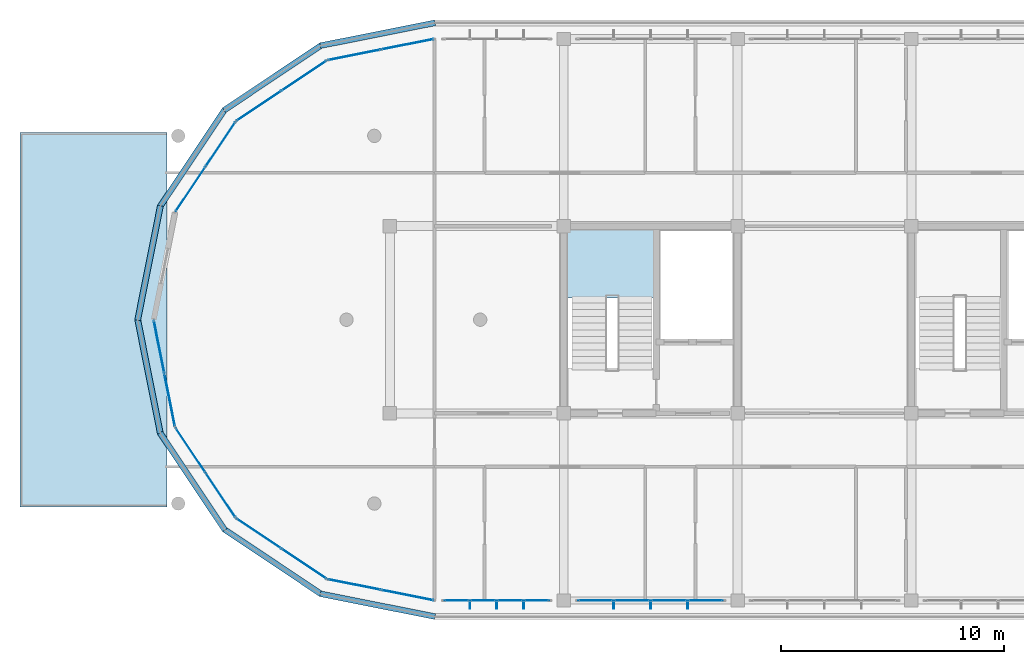
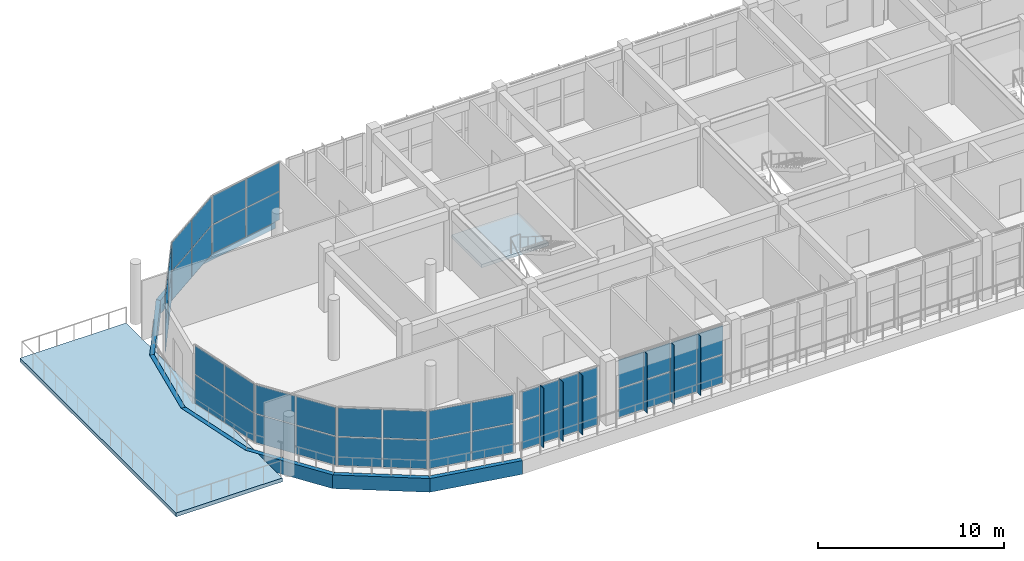
# One storey, part 31 of 50: 58 plates, 2 slabs, 10 elements without a shape of their own.
"""IFC4 building model written with IfcOpenShell, lengths in metres."""

from ifc_helpers import new_model, si_unit, direction, frame, origin, origin_2d, place, context, subcontext, project, spatial, polyline, rectangle, outline, extrude, material, layer, layer_set, type_object, element, aggregate, save


model = new_model("IFC4")

# Units and contexts
model_context = context("Model", 3, precision=1e-05, world=origin(), true_north=direction((0.0, 1.0)))
body_context = subcontext(model_context, "Body", "Model", "MODEL_VIEW")
ifc_project = project(units=[si_unit("LENGTHUNIT", "METRE"), si_unit("AREAUNIT", "SQUARE_METRE"), si_unit("VOLUMEUNIT", "CUBIC_METRE"), si_unit("PLANEANGLEUNIT", "RADIAN"), si_unit("MASSUNIT", "GRAM", prefix="KILO")], contexts=[model_context])

# Site, building, storey
site_placement = place(None, origin())
site = spatial("IfcSite", under=ifc_project, at=site_placement, CompositionType="ELEMENT")
building_placement = place(site_placement, origin())
building = spatial("IfcBuilding", under=site, at=building_placement, Name="Zizhar Promenade General Hospital", CompositionType="ELEMENT")
storey_placement = place(building_placement, frame((0.0, 0.0, 30.60009765625)))
storey = spatial("IfcBuildingStorey", under=building, at=storey_placement, Name="L07", CompositionType="ELEMENT", Elevation=30.60009765625)

# Curtain wall, plates
ifc_material_1 = material(Name="Anodised aluminium 6063-T6 and low-E glass", Category="aluminium")
ifc_layer_1 = layer(ifc_material_1, 0.159912109375)
ifc_layer_set_1 = layer_set([ifc_layer_1], Name="Anodised aluminium 6063-T6 and low-E glass")
curtain_wall_type_1 = type_object("IfcCurtainWallType", Name="CW-WARD-ARC", PredefinedType="NOTDEFINED", material=ifc_layer_set_1)
curtain_wall_1_placement = place(storey_placement, origin())
curtain_wall_1 = element("IfcCurtainWall", 1, at=curtain_wall_1_placement, inside=storey, type_object=curtain_wall_type_1, Name="Ward Semicircular End Glazing L07-10", PredefinedType="NOTDEFINED")
ifc_material_2 = material(Name="Low-E solar-control glass", Category="glass")
ifc_layer_2 = layer(ifc_material_2, 0.031982421875)
ifc_layer_set_2 = layer_set([ifc_layer_2], Name="Low-E solar-control glass")
plate_type_1 = type_object("IfcPlateType", Name="CWP-GLZ-32", PredefinedType="CURTAIN_PANEL", material=ifc_layer_set_2)
plate_1_placement = place(storey_placement, frame((37.3984375, 24.483642578125, 0.06005859375), z_axis=(0.0, 0.0, 1.0), x_axis=(0.980785889615, 0.195087259275, 0.0)))
plate_1 = element("IfcPlate", 2, at=plate_1_placement, type_object=plate_type_1, Name="CW-12 panel 1.1", PredefinedType="CURTAIN_PANEL", context=body_context, shape_type="SweptSolid", body=[
    extrude(rectangle(XDim=2.3681640625, YDim=0.031982421875, at=origin_2d()), origin(), (0.0, 0.0, 1.0), 1.860107421875),
])
plate_2_placement = place(storey_placement, frame((37.3984375, 24.483642578125, 1.97998046875), z_axis=(0.0, 0.0, 1.0), x_axis=(0.980785889615, 0.195087259275, 0.0)))
plate_2 = element("IfcPlate", 3, at=plate_2_placement, type_object=plate_type_1, Name="CW-12 panel 1.2", PredefinedType="CURTAIN_PANEL", context=body_context, shape_type="SweptSolid", body=[
    extrude(rectangle(XDim=2.3681640625, YDim=0.031982421875, at=origin_2d()), origin(), (0.0, 0.0, 1.0), 1.860107421875),
])
plate_3_placement = place(storey_placement, frame((39.77978515625, 24.957275390625, 0.06005859375), z_axis=(0.0, 0.0, 1.0), x_axis=(0.980785889615, 0.195087259275, 0.0)))
plate_3 = element("IfcPlate", 4, at=plate_3_placement, type_object=plate_type_1, Name="CW-12 panel 2.1", PredefinedType="CURTAIN_PANEL", context=body_context, shape_type="SweptSolid", body=[
    extrude(rectangle(XDim=2.3681640625, YDim=0.031982421875, at=origin_2d()), origin(), (0.0, 0.0, 1.0), 1.860107421875),
])
plate_4_placement = place(storey_placement, frame((39.77978515625, 24.957275390625, 1.97998046875), z_axis=(0.0, 0.0, 1.0), x_axis=(0.980785889615, 0.195087259275, 0.0)))
plate_4 = element("IfcPlate", 5, at=plate_4_placement, type_object=plate_type_1, Name="CW-12 panel 2.2", PredefinedType="CURTAIN_PANEL", context=body_context, shape_type="SweptSolid", body=[
    extrude(rectangle(XDim=2.3681640625, YDim=0.031982421875, at=origin_2d()), origin(), (0.0, 0.0, 1.0), 1.860107421875),
])
aggregate(curtain_wall_1, [plate_1, plate_2, plate_3, plate_4])

curtain_wall_2_placement = place(storey_placement, origin())
curtain_wall_2 = element("IfcCurtainWall", 6, at=curtain_wall_2_placement, inside=storey, type_object=curtain_wall_type_1, Name="Ward Semicircular End Glazing L07-11", PredefinedType="NOTDEFINED")
plate_5_placement = place(storey_placement, frame((33.125, 22.20068359375, 0.06005859375), z_axis=(0.0, 0.0, 1.0), x_axis=(0.831461514468, 0.555582352095, 0.0)))
plate_5 = element("IfcPlate", 7, at=plate_5_placement, type_object=plate_type_1, Name="CW-12 panel 1.1", PredefinedType="CURTAIN_PANEL", context=body_context, shape_type="SweptSolid", body=[
    extrude(rectangle(XDim=2.3681640625, YDim=0.031982421875, at=origin_2d()), origin(), (0.0, 0.0, 1.0), 1.860107421875),
])
plate_6_placement = place(storey_placement, frame((33.125, 22.20068359375, 1.97998046875), z_axis=(0.0, 0.0, 1.0), x_axis=(0.831461514468, 0.555582352095, 0.0)))
plate_6 = element("IfcPlate", 8, at=plate_6_placement, type_object=plate_type_1, Name="CW-12 panel 1.2", PredefinedType="CURTAIN_PANEL", context=body_context, shape_type="SweptSolid", body=[
    extrude(rectangle(XDim=2.3681640625, YDim=0.031982421875, at=origin_2d()), origin(), (0.0, 0.0, 1.0), 1.860107421875),
])
plate_7_placement = place(storey_placement, frame((35.143798828125, 23.5498046875, 0.06005859375), z_axis=(0.0, 0.0, 1.0), x_axis=(0.831461514468, 0.555582352095, 0.0)))
plate_7 = element("IfcPlate", 9, at=plate_7_placement, type_object=plate_type_1, Name="CW-12 panel 2.1", PredefinedType="CURTAIN_PANEL", context=body_context, shape_type="SweptSolid", body=[
    extrude(rectangle(XDim=2.3681640625, YDim=0.031982421875, at=origin_2d()), origin(), (0.0, 0.0, 1.0), 1.860107421875),
])
plate_8_placement = place(storey_placement, frame((35.143798828125, 23.5498046875, 1.97998046875), z_axis=(0.0, 0.0, 1.0), x_axis=(0.831461514468, 0.555582352095, 0.0)))
plate_8 = element("IfcPlate", 10, at=plate_8_placement, type_object=plate_type_1, Name="CW-12 panel 2.2", PredefinedType="CURTAIN_PANEL", context=body_context, shape_type="SweptSolid", body=[
    extrude(rectangle(XDim=2.3681640625, YDim=0.031982421875, at=origin_2d()), origin(), (0.0, 0.0, 1.0), 1.860107421875),
])
aggregate(curtain_wall_2, [plate_5, plate_6, plate_7, plate_8])

curtain_wall_3_placement = place(storey_placement, origin())
curtain_wall_3 = element("IfcCurtainWall", 11, at=curtain_wall_3_placement, inside=storey, type_object=curtain_wall_type_1, Name="Ward Semicircular End Glazing L07-12", PredefinedType="NOTDEFINED")
plate_9_placement = place(storey_placement, frame((30.05029296875, 18.456298828125, 0.06005859375), z_axis=(0.0, 0.0, 1.0), x_axis=(0.555582352095, 0.831461514468, 0.0)))
plate_9 = element("IfcPlate", 12, at=plate_9_placement, type_object=plate_type_1, Name="CW-12 panel 1.1", PredefinedType="CURTAIN_PANEL", context=body_context, shape_type="SweptSolid", body=[
    extrude(rectangle(XDim=2.3681640625, YDim=0.031982421875, at=origin_2d()), origin(), (0.0, 0.0, 1.0), 1.860107421875),
])
plate_10_placement = place(storey_placement, frame((30.05029296875, 18.456298828125, 1.97998046875), z_axis=(0.0, 0.0, 1.0), x_axis=(0.555582352095, 0.831461514468, 0.0)))
plate_10 = element("IfcPlate", 13, at=plate_10_placement, type_object=plate_type_1, Name="CW-12 panel 1.2", PredefinedType="CURTAIN_PANEL", context=body_context, shape_type="SweptSolid", body=[
    extrude(rectangle(XDim=2.3681640625, YDim=0.031982421875, at=origin_2d()), origin(), (0.0, 0.0, 1.0), 1.860107421875),
])
plate_11_placement = place(storey_placement, frame((31.3994140625, 20.47509765625, 0.06005859375), z_axis=(0.0, 0.0, 1.0), x_axis=(0.555582352095, 0.831461514468, 0.0)))
plate_11 = element("IfcPlate", 14, at=plate_11_placement, type_object=plate_type_1, Name="CW-12 panel 2.1", PredefinedType="CURTAIN_PANEL", context=body_context, shape_type="SweptSolid", body=[
    extrude(rectangle(XDim=2.3681640625, YDim=0.031982421875, at=origin_2d()), origin(), (0.0, 0.0, 1.0), 1.860107421875),
])
plate_12_placement = place(storey_placement, frame((31.3994140625, 20.47509765625, 1.97998046875), z_axis=(0.0, 0.0, 1.0), x_axis=(0.555582352095, 0.831461514468, 0.0)))
plate_12 = element("IfcPlate", 15, at=plate_12_placement, type_object=plate_type_1, Name="CW-12 panel 2.2", PredefinedType="CURTAIN_PANEL", context=body_context, shape_type="SweptSolid", body=[
    extrude(rectangle(XDim=2.3681640625, YDim=0.031982421875, at=origin_2d()), origin(), (0.0, 0.0, 1.0), 1.860107421875),
])
aggregate(curtain_wall_3, [plate_9, plate_10, plate_11, plate_12])

curtain_wall_4_placement = place(storey_placement, origin())
curtain_wall_4 = element("IfcCurtainWall", 16, at=curtain_wall_4_placement, inside=storey, type_object=curtain_wall_type_1, Name="Ward Semicircular End Glazing L07-14", PredefinedType="NOTDEFINED")
plate_13_placement = place(storey_placement, frame((29.116455078125, 8.998291015625, 0.06005859375), z_axis=(0.0, 0.0, 1.0), x_axis=(-0.195087259275, 0.980785889615, 0.0)))
plate_13 = element("IfcPlate", 17, at=plate_13_placement, type_object=plate_type_1, Name="CW-12 panel 1.1", PredefinedType="CURTAIN_PANEL", context=body_context, shape_type="SweptSolid", body=[
    extrude(rectangle(XDim=2.3681640625, YDim=0.031982421875, at=origin_2d()), origin(), (0.0, 0.0, 1.0), 1.860107421875),
])
plate_14_placement = place(storey_placement, frame((29.116455078125, 8.998291015625, 1.97998046875), z_axis=(0.0, 0.0, 1.0), x_axis=(-0.195087259275, 0.980785889615, 0.0)))
plate_14 = element("IfcPlate", 18, at=plate_14_placement, type_object=plate_type_1, Name="CW-12 panel 1.2", PredefinedType="CURTAIN_PANEL", context=body_context, shape_type="SweptSolid", body=[
    extrude(rectangle(XDim=2.3681640625, YDim=0.031982421875, at=origin_2d()), origin(), (0.0, 0.0, 1.0), 1.860107421875),
])
plate_15_placement = place(storey_placement, frame((28.642822265625, 11.3798828125, 0.06005859375), z_axis=(0.0, 0.0, 1.0), x_axis=(-0.195087259275, 0.980785889615, 0.0)))
plate_15 = element("IfcPlate", 19, at=plate_15_placement, type_object=plate_type_1, Name="CW-12 panel 2.1", PredefinedType="CURTAIN_PANEL", context=body_context, shape_type="SweptSolid", body=[
    extrude(rectangle(XDim=2.3681640625, YDim=0.031982421875, at=origin_2d()), origin(), (0.0, 0.0, 1.0), 1.860107421875),
])
plate_16_placement = place(storey_placement, frame((28.642822265625, 11.3798828125, 1.97998046875), z_axis=(0.0, 0.0, 1.0), x_axis=(-0.195087259275, 0.980785889615, 0.0)))
plate_16 = element("IfcPlate", 20, at=plate_16_placement, type_object=plate_type_1, Name="CW-12 panel 2.2", PredefinedType="CURTAIN_PANEL", context=body_context, shape_type="SweptSolid", body=[
    extrude(rectangle(XDim=2.3681640625, YDim=0.031982421875, at=origin_2d()), origin(), (0.0, 0.0, 1.0), 1.860107421875),
])
aggregate(curtain_wall_4, [plate_13, plate_14, plate_15, plate_16])

curtain_wall_5_placement = place(storey_placement, origin())
curtain_wall_5 = element("IfcCurtainWall", 21, at=curtain_wall_5_placement, inside=storey, type_object=curtain_wall_type_1, Name="Ward Semicircular End Glazing L07-15", PredefinedType="NOTDEFINED")
plate_17_placement = place(storey_placement, frame((31.3994140625, 4.724853515625, 0.06005859375), z_axis=(0.0, 0.0, 1.0), x_axis=(-0.555582352095, 0.831461514468, 0.0)))
plate_17 = element("IfcPlate", 22, at=plate_17_placement, type_object=plate_type_1, Name="CW-12 panel 1.1", PredefinedType="CURTAIN_PANEL", context=body_context, shape_type="SweptSolid", body=[
    extrude(rectangle(XDim=2.3681640625, YDim=0.031982421875, at=origin_2d()), origin(), (0.0, 0.0, 1.0), 1.860107421875),
])
plate_18_placement = place(storey_placement, frame((31.3994140625, 4.724853515625, 1.97998046875), z_axis=(0.0, 0.0, 1.0), x_axis=(-0.555582352095, 0.831461514468, 0.0)))
plate_18 = element("IfcPlate", 23, at=plate_18_placement, type_object=plate_type_1, Name="CW-12 panel 1.2", PredefinedType="CURTAIN_PANEL", context=body_context, shape_type="SweptSolid", body=[
    extrude(rectangle(XDim=2.3681640625, YDim=0.031982421875, at=origin_2d()), origin(), (0.0, 0.0, 1.0), 1.860107421875),
])
plate_19_placement = place(storey_placement, frame((30.05029296875, 6.743896484375, 0.06005859375), z_axis=(0.0, 0.0, 1.0), x_axis=(-0.555582352095, 0.831461514468, 0.0)))
plate_19 = element("IfcPlate", 24, at=plate_19_placement, type_object=plate_type_1, Name="CW-12 panel 2.1", PredefinedType="CURTAIN_PANEL", context=body_context, shape_type="SweptSolid", body=[
    extrude(rectangle(XDim=2.3681640625, YDim=0.031982421875, at=origin_2d()), origin(), (0.0, 0.0, 1.0), 1.860107421875),
])
plate_20_placement = place(storey_placement, frame((30.05029296875, 6.743896484375, 1.97998046875), z_axis=(0.0, 0.0, 1.0), x_axis=(-0.555582352095, 0.831461514468, 0.0)))
plate_20 = element("IfcPlate", 25, at=plate_20_placement, type_object=plate_type_1, Name="CW-12 panel 2.2", PredefinedType="CURTAIN_PANEL", context=body_context, shape_type="SweptSolid", body=[
    extrude(rectangle(XDim=2.3681640625, YDim=0.031982421875, at=origin_2d()), origin(), (0.0, 0.0, 1.0), 1.860107421875),
])
aggregate(curtain_wall_5, [plate_17, plate_18, plate_19, plate_20])

curtain_wall_6_placement = place(storey_placement, origin())
curtain_wall_6 = element("IfcCurtainWall", 26, at=curtain_wall_6_placement, inside=storey, type_object=curtain_wall_type_1, Name="Ward Semicircular End Glazing L07-16", PredefinedType="NOTDEFINED")
plate_21_placement = place(storey_placement, frame((35.143798828125, 1.650390625, 0.06005859375), z_axis=(0.0, 0.0, 1.0), x_axis=(-0.831461514468, 0.555582352095, 0.0)))
plate_21 = element("IfcPlate", 27, at=plate_21_placement, type_object=plate_type_1, Name="CW-12 panel 1.1", PredefinedType="CURTAIN_PANEL", context=body_context, shape_type="SweptSolid", body=[
    extrude(rectangle(XDim=2.3681640625, YDim=0.031982421875, at=origin_2d()), origin(), (0.0, 0.0, 1.0), 1.860107421875),
])
plate_22_placement = place(storey_placement, frame((35.143798828125, 1.650390625, 1.97998046875), z_axis=(0.0, 0.0, 1.0), x_axis=(-0.831461514468, 0.555582352095, 0.0)))
plate_22 = element("IfcPlate", 28, at=plate_22_placement, type_object=plate_type_1, Name="CW-12 panel 1.2", PredefinedType="CURTAIN_PANEL", context=body_context, shape_type="SweptSolid", body=[
    extrude(rectangle(XDim=2.3681640625, YDim=0.031982421875, at=origin_2d()), origin(), (0.0, 0.0, 1.0), 1.860107421875),
])
plate_23_placement = place(storey_placement, frame((33.125, 2.999267578125, 0.06005859375), z_axis=(0.0, 0.0, 1.0), x_axis=(-0.831461514468, 0.555582352095, 0.0)))
plate_23 = element("IfcPlate", 29, at=plate_23_placement, type_object=plate_type_1, Name="CW-12 panel 2.1", PredefinedType="CURTAIN_PANEL", context=body_context, shape_type="SweptSolid", body=[
    extrude(rectangle(XDim=2.3681640625, YDim=0.031982421875, at=origin_2d()), origin(), (0.0, 0.0, 1.0), 1.860107421875),
])
plate_24_placement = place(storey_placement, frame((33.125, 2.999267578125, 1.97998046875), z_axis=(0.0, 0.0, 1.0), x_axis=(-0.831461514468, 0.555582352095, 0.0)))
plate_24 = element("IfcPlate", 30, at=plate_24_placement, type_object=plate_type_1, Name="CW-12 panel 2.2", PredefinedType="CURTAIN_PANEL", context=body_context, shape_type="SweptSolid", body=[
    extrude(rectangle(XDim=2.3681640625, YDim=0.031982421875, at=origin_2d()), origin(), (0.0, 0.0, 1.0), 1.860107421875),
])
aggregate(curtain_wall_6, [plate_21, plate_22, plate_23, plate_24])

curtain_wall_7_placement = place(storey_placement, origin())
curtain_wall_7 = element("IfcCurtainWall", 31, at=curtain_wall_7_placement, inside=storey, type_object=curtain_wall_type_1, Name="Ward Semicircular End Glazing L07-17", PredefinedType="NOTDEFINED")
plate_25_placement = place(storey_placement, frame((39.77978515625, 0.24267578125, 0.06005859375), z_axis=(0.0, 0.0, 1.0), x_axis=(-0.980785889615, 0.195087259275, 0.0)))
plate_25 = element("IfcPlate", 32, at=plate_25_placement, type_object=plate_type_1, Name="CW-12 panel 1.1", PredefinedType="CURTAIN_PANEL", context=body_context, shape_type="SweptSolid", body=[
    extrude(rectangle(XDim=2.3681640625, YDim=0.031982421875, at=origin_2d()), origin(), (0.0, 0.0, 1.0), 1.860107421875),
])
plate_26_placement = place(storey_placement, frame((39.77978515625, 0.24267578125, 1.97998046875), z_axis=(0.0, 0.0, 1.0), x_axis=(-0.980785889615, 0.195087259275, 0.0)))
plate_26 = element("IfcPlate", 33, at=plate_26_placement, type_object=plate_type_1, Name="CW-12 panel 1.2", PredefinedType="CURTAIN_PANEL", context=body_context, shape_type="SweptSolid", body=[
    extrude(rectangle(XDim=2.3681640625, YDim=0.031982421875, at=origin_2d()), origin(), (0.0, 0.0, 1.0), 1.860107421875),
])
plate_27_placement = place(storey_placement, frame((37.3984375, 0.71630859375, 0.06005859375), z_axis=(0.0, 0.0, 1.0), x_axis=(-0.980785889615, 0.195087259275, 0.0)))
plate_27 = element("IfcPlate", 34, at=plate_27_placement, type_object=plate_type_1, Name="CW-12 panel 2.1", PredefinedType="CURTAIN_PANEL", context=body_context, shape_type="SweptSolid", body=[
    extrude(rectangle(XDim=2.3681640625, YDim=0.031982421875, at=origin_2d()), origin(), (0.0, 0.0, 1.0), 1.860107421875),
])
plate_28_placement = place(storey_placement, frame((37.3984375, 0.71630859375, 1.97998046875), z_axis=(0.0, 0.0, 1.0), x_axis=(-0.980785889615, 0.195087259275, 0.0)))
plate_28 = element("IfcPlate", 35, at=plate_28_placement, type_object=plate_type_1, Name="CW-12 panel 2.2", PredefinedType="CURTAIN_PANEL", context=body_context, shape_type="SweptSolid", body=[
    extrude(rectangle(XDim=2.3681640625, YDim=0.031982421875, at=origin_2d()), origin(), (0.0, 0.0, 1.0), 1.860107421875),
])
aggregate(curtain_wall_7, [plate_25, plate_26, plate_27, plate_28])

ifc_material_3 = material(Name="Anodised aluminium 6063-T6 and low-E glass", Category="aluminium")
ifc_layer_3 = layer(ifc_material_3, 0.159912109375)
ifc_layer_set_3 = layer_set([ifc_layer_3], Name="Anodised aluminium 6063-T6 and low-E glass")
curtain_wall_type_2 = type_object("IfcCurtainWallType", Name="CW-WARD-RIB", PredefinedType="NOTDEFINED", material=ifc_layer_set_3)
curtain_wall_8_placement = place(storey_placement, origin())
curtain_wall_8 = element("IfcCurtainWall", 36, at=curtain_wall_8_placement, inside=storey, type_object=curtain_wall_type_2, Name="Ward Ribbon Curtain Wall L07-17-7", PredefinedType="NOTDEFINED")
plate_29_placement = place(storey_placement, frame((53.169921875, 0.0, 0.06005859375), z_axis=(0.0, 0.0, 1.0), x_axis=(-1.0, 0.0, 0.0)))
plate_29 = element("IfcPlate", 37, at=plate_29_placement, type_object=plate_type_1, Name="CW-13 panel 1.1", PredefinedType="CURTAIN_PANEL", context=body_context, shape_type="SweptSolid", body=[
    extrude(rectangle(XDim=1.5400390625, YDim=0.031982421875, at=origin_2d()), origin(), (0.0, 0.0, 1.0), 1.860107421875),
])
plate_30_placement = place(storey_placement, frame((53.169921875, 0.0, 1.97998046875), z_axis=(0.0, 0.0, 1.0), x_axis=(-1.0, 0.0, 0.0)))
plate_30 = element("IfcPlate", 38, at=plate_30_placement, type_object=plate_type_1, Name="CW-13 panel 1.2", PredefinedType="CURTAIN_PANEL", context=body_context, shape_type="SweptSolid", body=[
    extrude(rectangle(XDim=1.5400390625, YDim=0.031982421875, at=origin_2d()), origin(), (0.0, 0.0, 1.0), 1.860107421875),
])
plate_31_placement = place(storey_placement, frame((51.530029296875, 0.0, 0.06005859375), z_axis=(0.0, 0.0, 1.0), x_axis=(-1.0, 0.0, 0.0)))
plate_31 = element("IfcPlate", 39, at=plate_31_placement, type_object=plate_type_1, Name="CW-13 panel 2.1", PredefinedType="CURTAIN_PANEL", context=body_context, shape_type="SweptSolid", body=[
    extrude(rectangle(XDim=1.580078125, YDim=0.031982421875, at=origin_2d()), origin(), (0.0, 0.0, 1.0), 1.860107421875),
])
plate_32_placement = place(storey_placement, frame((51.530029296875, 0.0, 1.97998046875), z_axis=(0.0, 0.0, 1.0), x_axis=(-1.0, 0.0, 0.0)))
plate_32 = element("IfcPlate", 40, at=plate_32_placement, type_object=plate_type_1, Name="CW-13 panel 2.2", PredefinedType="CURTAIN_PANEL", context=body_context, shape_type="SweptSolid", body=[
    extrude(rectangle(XDim=1.580078125, YDim=0.031982421875, at=origin_2d()), origin(), (0.0, 0.0, 1.0), 1.860107421875),
])
plate_33_placement = place(storey_placement, frame((49.8701171875, 0.0, 0.06005859375), z_axis=(0.0, 0.0, 1.0), x_axis=(-1.0, 0.0, 0.0)))
plate_33 = element("IfcPlate", 41, at=plate_33_placement, type_object=plate_type_1, Name="CW-13 panel 3.1", PredefinedType="CURTAIN_PANEL", context=body_context, shape_type="SweptSolid", body=[
    extrude(rectangle(XDim=1.580078125, YDim=0.031982421875, at=origin_2d()), origin(), (0.0, 0.0, 1.0), 1.860107421875),
])
plate_34_placement = place(storey_placement, frame((49.8701171875, 0.0, 1.97998046875), z_axis=(0.0, 0.0, 1.0), x_axis=(-1.0, 0.0, 0.0)))
plate_34 = element("IfcPlate", 42, at=plate_34_placement, type_object=plate_type_1, Name="CW-13 panel 3.2", PredefinedType="CURTAIN_PANEL", context=body_context, shape_type="SweptSolid", body=[
    extrude(rectangle(XDim=1.580078125, YDim=0.031982421875, at=origin_2d()), origin(), (0.0, 0.0, 1.0), 1.860107421875),
])
plate_35_placement = place(storey_placement, frame((48.22998046875, 0.0, 0.06005859375), z_axis=(0.0, 0.0, 1.0), x_axis=(-1.0, 0.0, 0.0)))
plate_35 = element("IfcPlate", 43, at=plate_35_placement, type_object=plate_type_1, Name="CW-13 panel 4.1", PredefinedType="CURTAIN_PANEL", context=body_context, shape_type="SweptSolid", body=[
    extrude(rectangle(XDim=1.5400390625, YDim=0.031982421875, at=origin_2d()), origin(), (0.0, 0.0, 1.0), 1.860107421875),
])
plate_36_placement = place(storey_placement, frame((48.22998046875, 0.0, 1.97998046875), z_axis=(0.0, 0.0, 1.0), x_axis=(-1.0, 0.0, 0.0)))
plate_36 = element("IfcPlate", 44, at=plate_36_placement, type_object=plate_type_1, Name="CW-13 panel 4.2", PredefinedType="CURTAIN_PANEL", context=body_context, shape_type="SweptSolid", body=[
    extrude(rectangle(XDim=1.5400390625, YDim=0.031982421875, at=origin_2d()), origin(), (0.0, 0.0, 1.0), 1.860107421875),
])
aggregate(curtain_wall_8, [plate_29, plate_30, plate_31, plate_32, plate_33, plate_34, plate_35, plate_36])

curtain_wall_9_placement = place(storey_placement, origin())
curtain_wall_9 = element("IfcCurtainWall", 45, at=curtain_wall_9_placement, inside=storey, type_object=curtain_wall_type_2, Name="Ward Ribbon Curtain Wall L07-17-8", PredefinedType="NOTDEFINED")
plate_37_placement = place(storey_placement, frame((45.594970703125, 0.0, 0.06005859375), z_axis=(0.0, 0.0, 1.0), x_axis=(-1.0, 0.0, 0.0)))
plate_37 = element("IfcPlate", 46, at=plate_37_placement, type_object=plate_type_1, Name="CW-13 panel 1.1", PredefinedType="CURTAIN_PANEL", context=body_context, shape_type="SweptSolid", body=[
    extrude(rectangle(XDim=1.090087890625, YDim=0.031982421875, at=origin_2d()), origin(), (0.0, 0.0, 1.0), 1.860107421875),
])
plate_38_placement = place(storey_placement, frame((45.594970703125, 0.0, 1.97998046875), z_axis=(0.0, 0.0, 1.0), x_axis=(-1.0, 0.0, 0.0)))
plate_38 = element("IfcPlate", 47, at=plate_38_placement, type_object=plate_type_1, Name="CW-13 panel 1.2", PredefinedType="CURTAIN_PANEL", context=body_context, shape_type="SweptSolid", body=[
    extrude(rectangle(XDim=1.090087890625, YDim=0.031982421875, at=origin_2d()), origin(), (0.0, 0.0, 1.0), 1.860107421875),
])
plate_39_placement = place(storey_placement, frame((44.405029296875, 0.0, 0.06005859375), z_axis=(0.0, 0.0, 1.0), x_axis=(-1.0, 0.0, 0.0)))
plate_39 = element("IfcPlate", 48, at=plate_39_placement, type_object=plate_type_1, Name="CW-13 panel 2.1", PredefinedType="CURTAIN_PANEL", context=body_context, shape_type="SweptSolid", body=[
    extrude(rectangle(XDim=1.1298828125, YDim=0.031982421875, at=origin_2d()), origin(), (0.0, 0.0, 1.0), 1.860107421875),
])
plate_40_placement = place(storey_placement, frame((44.405029296875, 0.0, 1.97998046875), z_axis=(0.0, 0.0, 1.0), x_axis=(-1.0, 0.0, 0.0)))
plate_40 = element("IfcPlate", 49, at=plate_40_placement, type_object=plate_type_1, Name="CW-13 panel 2.2", PredefinedType="CURTAIN_PANEL", context=body_context, shape_type="SweptSolid", body=[
    extrude(rectangle(XDim=1.1298828125, YDim=0.031982421875, at=origin_2d()), origin(), (0.0, 0.0, 1.0), 1.860107421875),
])
plate_41_placement = place(storey_placement, frame((43.195068359375, 0.0, 0.06005859375), z_axis=(0.0, 0.0, 1.0), x_axis=(-1.0, 0.0, 0.0)))
plate_41 = element("IfcPlate", 50, at=plate_41_placement, type_object=plate_type_1, Name="CW-13 panel 3.1", PredefinedType="CURTAIN_PANEL", context=body_context, shape_type="SweptSolid", body=[
    extrude(rectangle(XDim=1.1298828125, YDim=0.031982421875, at=origin_2d()), origin(), (0.0, 0.0, 1.0), 1.860107421875),
])
plate_42_placement = place(storey_placement, frame((43.195068359375, 0.0, 1.97998046875), z_axis=(0.0, 0.0, 1.0), x_axis=(-1.0, 0.0, 0.0)))
plate_42 = element("IfcPlate", 51, at=plate_42_placement, type_object=plate_type_1, Name="CW-13 panel 3.2", PredefinedType="CURTAIN_PANEL", context=body_context, shape_type="SweptSolid", body=[
    extrude(rectangle(XDim=1.1298828125, YDim=0.031982421875, at=origin_2d()), origin(), (0.0, 0.0, 1.0), 1.860107421875),
])
plate_43_placement = place(storey_placement, frame((42.0048828125, 0.0, 0.06005859375), z_axis=(0.0, 0.0, 1.0), x_axis=(-1.0, 0.0, 0.0)))
plate_43 = element("IfcPlate", 52, at=plate_43_placement, type_object=plate_type_1, Name="CW-13 panel 4.1", PredefinedType="CURTAIN_PANEL", context=body_context, shape_type="SweptSolid", body=[
    extrude(rectangle(XDim=1.090087890625, YDim=0.031982421875, at=origin_2d()), origin(), (0.0, 0.0, 1.0), 1.860107421875),
])
plate_44_placement = place(storey_placement, frame((42.0048828125, 0.0, 1.97998046875), z_axis=(0.0, 0.0, 1.0), x_axis=(-1.0, 0.0, 0.0)))
plate_44 = element("IfcPlate", 53, at=plate_44_placement, type_object=plate_type_1, Name="CW-13 panel 4.2", PredefinedType="CURTAIN_PANEL", context=body_context, shape_type="SweptSolid", body=[
    extrude(rectangle(XDim=1.090087890625, YDim=0.031982421875, at=origin_2d()), origin(), (0.0, 0.0, 1.0), 1.860107421875),
])
aggregate(curtain_wall_9, [plate_37, plate_38, plate_39, plate_40, plate_41, plate_42, plate_43, plate_44])

# Plates
ifc_material_4 = material(Name="Anodised aluminium 6063-T6", Category="aluminium")
ifc_layer_4 = layer(ifc_material_4, 0.035888671875)
ifc_layer_set_4 = layer_set([ifc_layer_4], Name="Anodised aluminium 6063-T6")
plate_type_2 = type_object("IfcPlateType", Name="FIN-ALU-380", PredefinedType="USERDEFINED", material=ifc_layer_set_4)
plate_45_placement = place(storey_placement, origin())
element("IfcPlate", 54, at=plate_45_placement, inside=storey, type_object=plate_type_2, Name="Ward Ribbon Curtain Wall L07-17-7 Solar Fin 1", ObjectType="SOLAR_SHADE", PredefinedType="USERDEFINED", context=body_context, shape_type="SweptSolid", body=[
    extrude(outline(polyline([(52.3779296875, 0.0), (52.342041015625, 0.0), (52.342041015625, -0.3798828125), (52.3779296875, -0.3798828125), (52.3779296875, 0.0)])), origin(), (0.0, 0.0, 1.0), 3.89990234375),
])
plate_46_placement = place(storey_placement, origin())
element("IfcPlate", 55, at=plate_46_placement, inside=storey, type_object=plate_type_2, Name="Ward Ribbon Curtain Wall L07-17-7 Solar Fin 2", ObjectType="SOLAR_SHADE", PredefinedType="USERDEFINED", context=body_context, shape_type="SweptSolid", body=[
    extrude(outline(polyline([(50.718017578125, 0.0), (50.681884765625, 0.0), (50.681884765625, -0.3798828125), (50.718017578125, -0.3798828125), (50.718017578125, 0.0)])), origin(), (0.0, 0.0, 1.0), 3.89990234375),
])
plate_47_placement = place(storey_placement, origin())
element("IfcPlate", 56, at=plate_47_placement, inside=storey, type_object=plate_type_2, Name="Ward Ribbon Curtain Wall L07-17-7 Solar Fin 3", ObjectType="SOLAR_SHADE", PredefinedType="USERDEFINED", context=body_context, shape_type="SweptSolid", body=[
    extrude(outline(polyline([(49.05810546875, 0.0), (49.02197265625, 0.0), (49.02197265625, -0.3798828125), (49.05810546875, -0.3798828125), (49.05810546875, 0.0)])), origin(), (0.0, 0.0, 1.0), 3.89990234375),
])
plate_48_placement = place(storey_placement, origin())
element("IfcPlate", 57, at=plate_48_placement, inside=storey, type_object=plate_type_2, Name="Ward Ribbon Curtain Wall L07-17-8 Solar Fin 1", ObjectType="SOLAR_SHADE", PredefinedType="USERDEFINED", context=body_context, shape_type="SweptSolid", body=[
    extrude(outline(polyline([(45.028076171875, 0.0), (44.991943359375, 0.0), (44.991943359375, -0.3798828125), (45.028076171875, -0.3798828125), (45.028076171875, 0.0)])), origin(), (0.0, 0.0, 1.0), 3.89990234375),
])
plate_49_placement = place(storey_placement, origin())
element("IfcPlate", 58, at=plate_49_placement, inside=storey, type_object=plate_type_2, Name="Ward Ribbon Curtain Wall L07-17-8 Solar Fin 2", ObjectType="SOLAR_SHADE", PredefinedType="USERDEFINED", context=body_context, shape_type="SweptSolid", body=[
    extrude(outline(polyline([(43.818115234375, 0.0), (43.781982421875, 0.0), (43.781982421875, -0.3798828125), (43.818115234375, -0.3798828125), (43.818115234375, 0.0)])), origin(), (0.0, 0.0, 1.0), 3.89990234375),
])
plate_50_placement = place(storey_placement, origin())
element("IfcPlate", 59, at=plate_50_placement, inside=storey, type_object=plate_type_2, Name="Ward Ribbon Curtain Wall L07-17-8 Solar Fin 3", ObjectType="SOLAR_SHADE", PredefinedType="USERDEFINED", context=body_context, shape_type="SweptSolid", body=[
    extrude(outline(polyline([(42.60791015625, 0.0), (42.572021484375, 0.0), (42.572021484375, -0.3798828125), (42.60791015625, -0.3798828125), (42.60791015625, 0.0)])), origin(), (0.0, 0.0, 1.0), 3.89990234375),
])
ifc_material_5 = material(Name="Precast concrete C40/50", Category="concrete")
ifc_layer_5 = layer(ifc_material_5, 0.260009765625)
ifc_layer_set_5 = layer_set([ifc_layer_5], Name="Precast concrete C40/50")
plate_type_3 = type_object("IfcPlateType", Name="PL-PC-BAND950", PredefinedType="USERDEFINED", material=ifc_layer_set_5)
plate_51_placement = place(storey_placement, frame((0.0, 0.0, -0.900146484375)))
element("IfcPlate", 60, at=plate_51_placement, inside=storey, type_object=plate_type_3, Name="Ward Precast Slab Band L07-10", ObjectType="FASCIA_BAND", PredefinedType="USERDEFINED", context=body_context, shape_type="SweptSolid", body=[
    extrude(outline(polyline([(41.0, 26.050048828125), (35.852783203125, 25.026123046875), (35.903564453125, 24.771240234375), (41.05078125, 25.794921875), (41.0, 26.050048828125)])), origin(), (0.0, 0.0, 1.0), 0.900146484375),
])
plate_52_placement = place(storey_placement, frame((0.0, 0.0, -0.900146484375)))
element("IfcPlate", 61, at=plate_52_placement, inside=storey, type_object=plate_type_3, Name="Ward Precast Slab Band L07-11", ObjectType="FASCIA_BAND", PredefinedType="USERDEFINED", context=body_context, shape_type="SweptSolid", body=[
    extrude(outline(polyline([(35.852783203125, 25.026123046875), (31.489501953125, 22.110595703125), (31.6337890625, 21.894287109375), (35.997314453125, 24.81005859375), (35.852783203125, 25.026123046875)])), origin(), (0.0, 0.0, 1.0), 0.900146484375),
])
plate_53_placement = place(storey_placement, frame((0.0, 0.0, -0.900146484375)))
element("IfcPlate", 62, at=plate_53_placement, inside=storey, type_object=plate_type_3, Name="Ward Precast Slab Band L07-12", ObjectType="FASCIA_BAND", PredefinedType="USERDEFINED", context=body_context, shape_type="SweptSolid", body=[
    extrude(outline(polyline([(31.489501953125, 22.110595703125), (28.57373046875, 17.7470703125), (28.7900390625, 17.602783203125), (31.70556640625, 21.96630859375), (31.489501953125, 22.110595703125)])), origin(), (0.0, 0.0, 1.0), 0.900146484375),
])
plate_54_placement = place(storey_placement, frame((0.0, 0.0, -0.900146484375)))
element("IfcPlate", 63, at=plate_54_placement, inside=storey, type_object=plate_type_3, Name="Ward Precast Slab Band L07-13", ObjectType="FASCIA_BAND", PredefinedType="USERDEFINED", context=body_context, shape_type="SweptSolid", body=[
    extrude(outline(polyline([(28.57373046875, 17.7470703125), (27.550048828125, 12.60009765625), (27.804931640625, 12.54931640625), (28.828857421875, 17.6962890625), (28.57373046875, 17.7470703125)])), origin(), (0.0, 0.0, 1.0), 0.900146484375),
])
plate_55_placement = place(storey_placement, frame((0.0, 0.0, -0.900146484375)))
element("IfcPlate", 64, at=plate_55_placement, inside=storey, type_object=plate_type_3, Name="Ward Precast Slab Band L07-14", ObjectType="FASCIA_BAND", PredefinedType="USERDEFINED", context=body_context, shape_type="SweptSolid", body=[
    extrude(outline(polyline([(27.550048828125, 12.60009765625), (28.57373046875, 7.452880859375), (28.828857421875, 7.503662109375), (27.804931640625, 12.650634765625), (27.550048828125, 12.60009765625)])), origin(), (0.0, 0.0, 1.0), 0.900146484375),
])
plate_56_placement = place(storey_placement, frame((0.0, 0.0, -0.900146484375)))
element("IfcPlate", 65, at=plate_56_placement, inside=storey, type_object=plate_type_3, Name="Ward Precast Slab Band L07-15", ObjectType="FASCIA_BAND", PredefinedType="USERDEFINED", context=body_context, shape_type="SweptSolid", body=[
    extrude(outline(polyline([(28.57373046875, 7.452880859375), (31.489501953125, 3.08935546875), (31.70556640625, 3.23388671875), (28.7900390625, 7.597412109375), (28.57373046875, 7.452880859375)])), origin(), (0.0, 0.0, 1.0), 0.900146484375),
])
plate_57_placement = place(storey_placement, frame((0.0, 0.0, -0.900146484375)))
element("IfcPlate", 66, at=plate_57_placement, inside=storey, type_object=plate_type_3, Name="Ward Precast Slab Band L07-16", ObjectType="FASCIA_BAND", PredefinedType="USERDEFINED", context=body_context, shape_type="SweptSolid", body=[
    extrude(outline(polyline([(31.489501953125, 3.08935546875), (35.852783203125, 0.173828125), (35.997314453125, 0.389892578125), (31.6337890625, 3.3056640625), (31.489501953125, 3.08935546875)])), origin(), (0.0, 0.0, 1.0), 0.900146484375),
])
plate_58_placement = place(storey_placement, frame((0.0, 0.0, -0.900146484375)))
element("IfcPlate", 67, at=plate_58_placement, inside=storey, type_object=plate_type_3, Name="Ward Precast Slab Band L07-17", ObjectType="FASCIA_BAND", PredefinedType="USERDEFINED", context=body_context, shape_type="SweptSolid", body=[
    extrude(outline(polyline([(35.852783203125, 0.173828125), (41.0, -0.85009765625), (41.05078125, -0.594970703125), (35.903564453125, 0.4287109375), (35.852783203125, 0.173828125)])), origin(), (0.0, 0.0, 1.0), 0.900146484375),
])

# Stair, slab
ifc_material_6 = material(Name="Concrete C35/45", Category="concrete")
stair_type = type_object("IfcStairType", Name="STR-DOG-420", PredefinedType="HALF_TURN_STAIR", material=ifc_material_6)
stair_placement = place(storey_placement, origin())
stair = element("IfcStair", 68, at=stair_placement, inside=storey, type_object=stair_type, Name="Exit Stair ST-02 (L07 to L08)", PredefinedType="HALF_TURN_STAIR")
ifc_material_7 = material(Name="Concrete C35/45", Category="concrete")
ifc_layer_6 = layer(ifc_material_7, 0.2099609375)
ifc_layer_set_6 = layer_set([ifc_layer_6], Name="Concrete C35/45")
slab_type_1 = type_object("IfcSlabType", Name="SLB-LAND-420", PredefinedType="LANDING", material=ifc_layer_set_6)
slab_1_placement = place(storey_placement, frame((0.0, 0.0, 1.889892578125)))
slab_1 = element("IfcSlab", 69, at=slab_1_placement, type_object=slab_type_1, Name="ST-02C landing 1", PredefinedType="LANDING", context=body_context, shape_type="SweptSolid", body=[
    extrude(outline(polyline([(46.800048828125, 13.570068359375), (50.949951171875, 13.570068359375), (50.949951171875, 16.800048828125), (46.800048828125, 16.800048828125), (46.800048828125, 13.570068359375)])), origin(), (0.0, 0.0, 1.0), 0.2099609375),
])
aggregate(stair, [slab_1])

# Slab
ifc_material_8 = material(Name="Concrete C35/45", Category="concrete")
ifc_layer_7 = layer(ifc_material_8, 0.25)
ifc_layer_set_7 = layer_set([ifc_layer_7], Name="Concrete C35/45")
slab_type_2 = type_object("IfcSlabType", Name="SLB-TERR-250", PredefinedType="ROOF", material=ifc_layer_set_7)
slab_2_placement = place(storey_placement, frame((0.0, 0.0, -0.25)))
element("IfcSlab", 70, at=slab_2_placement, inside=storey, type_object=slab_type_2, Name="Level L07 West Recovery Terrace Slab", PredefinedType="ROOF", context=body_context, shape_type="SweptSolid", body=[
    extrude(outline(polyline([(22.39990234375, 4.199951171875), (29.0, 4.199951171875), (29.0, 21.0), (22.39990234375, 21.0), (22.39990234375, 4.199951171875)])), origin(), (0.0, 0.0, 1.0), 0.25),
])

save(model, "model.ifc")
